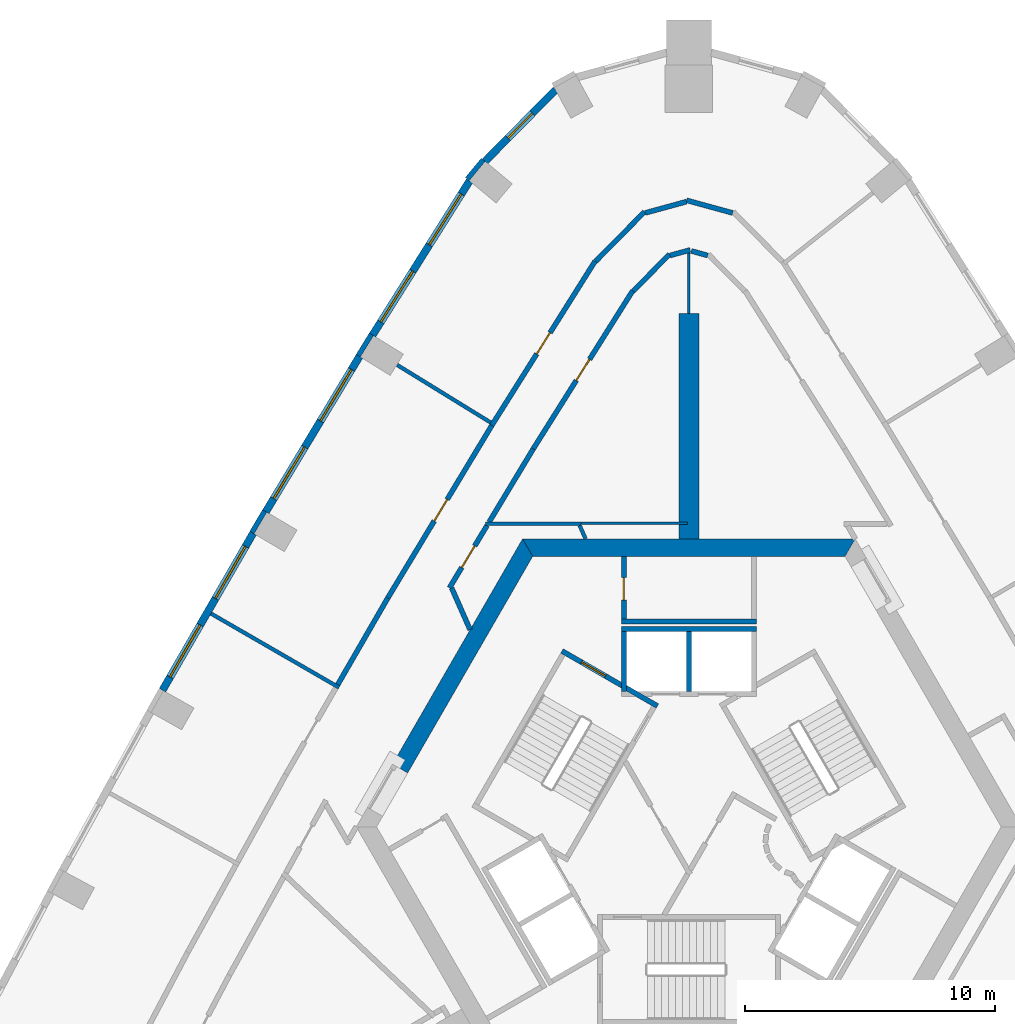
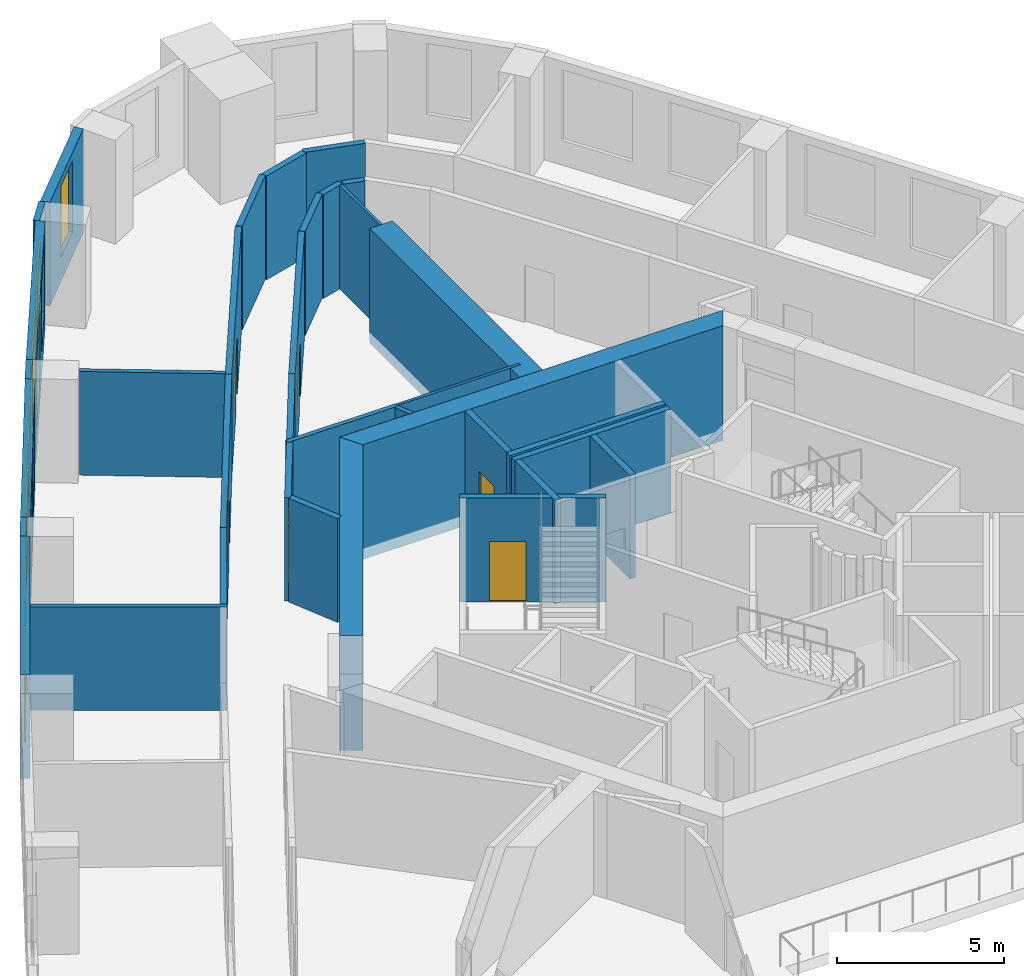
# One storey, part 8 of 11: 35 walls, 7 windows, 6 doors, 13 openings.
"""IFC4 building model written with IfcOpenShell, lengths in metres."""

from ifc_helpers import new_model, si_unit, direction, frame, frame_2d, origin, place, context, subcontext, project, spatial, polyline, rectangle, outline, extrude, material, layer, layer_set, type_object, element, fill, save


model = new_model("IFC4")

# Units and contexts
model_context = context("Model", 3, precision=1e-05, world=origin(), true_north=direction((0.0, 1.0)))
body_context = subcontext(model_context, "Body", "Model", "MODEL_VIEW")
ifc_project = project(units=[si_unit("LENGTHUNIT", "METRE"), si_unit("AREAUNIT", "SQUARE_METRE"), si_unit("VOLUMEUNIT", "CUBIC_METRE"), si_unit("PLANEANGLEUNIT", "RADIAN"), si_unit("MASSUNIT", "GRAM", prefix="KILO")], contexts=[model_context])

# Site, building, storey
site_placement = place(None, origin())
site = spatial("IfcSite", under=ifc_project, at=site_placement, CompositionType="ELEMENT")
building_placement = place(site_placement, origin())
building = spatial("IfcBuilding", under=site, at=building_placement, Name="Entoto Arch Interchange Tower", CompositionType="ELEMENT")
storey_placement = place(building_placement, frame((0.0, 0.0, 206.60009765625)))
storey = spatial("IfcBuildingStorey", under=building, at=storey_placement, Name="L46", CompositionType="ELEMENT", Elevation=206.60009765625)

# Walls
ifc_material_1 = material(Name="Concrete C50/60", Category="concrete")
ifc_layer_1 = layer(ifc_material_1, 0.800048828125)
ifc_layer_set_1 = layer_set([ifc_layer_1], Name="Concrete C50/60")
wall_type_1 = type_object("IfcWallType", Name="Buttress wall 800 C50/60", PredefinedType="SHEAR", material=ifc_layer_set_1)
wall_1_placement = place(storey_placement, frame((0.0, 14.0, -0.400146484375), z_axis=(0.0, 0.0, 1.0), x_axis=(0.0, 1.0, 0.0)))
element("IfcWall", 1, at=wall_1_placement, inside=storey, type_object=wall_type_1, Name="Buttress wall N L46", PredefinedType="SHEAR", context=body_context, shape_type="SweptSolid", body=[
    extrude(rectangle(XDim=9.0, YDim=0.800048828125, at=frame_2d((4.5, 0.0))), origin(), (0.0, 0.0, 1.0), 4.199951171875),
])
ifc_layer_2 = layer(ifc_material_1, 0.699951171875)
ifc_layer_set_2 = layer_set([ifc_layer_2], Name="Concrete C50/60")
wall_type_2 = type_object("IfcWallType", Name="Core wall 700 C50/60", PredefinedType="SHEAR", material=ifc_layer_set_2)
wall_2_placement = place(storey_placement, frame((0.0, 0.0, -0.400146484375)))
element("IfcWall", 2, at=wall_2_placement, inside=storey, type_object=wall_type_2, Name="Core wall N L46", PredefinedType="SHEAR", context=body_context, shape_type="SweptSolid", body=[
    extrude(outline(polyline([(6.639892578125, 14.0), (-6.639892578125, 14.0), (-6.235107421875, 13.300048828125), (6.235107421875, 13.300048828125), (6.639892578125, 14.0)])), origin(), (0.0, 0.0, 1.0), 4.199951171875),
])
wall_3_placement = place(storey_placement, frame((0.0, 0.0, -0.400146484375)))
element("IfcWall", 3, at=wall_3_placement, inside=storey, type_object=wall_type_2, Name="Core wall NW L46", PredefinedType="SHEAR", context=body_context, shape_type="SweptSolid", body=[
    extrude(outline(polyline([(-11.833984375, 5.001953125), (-11.22802734375, 4.652099609375), (-6.235107421875, 13.300048828125), (-6.639892578125, 14.0), (-11.833984375, 5.001953125)])), origin(), (0.0, 0.0, 1.0), 4.199951171875),
])
ifc_material_2 = material(Name="Concrete C40/50", Category="concrete")
ifc_layer_3 = layer(ifc_material_2, 0.199951171875)
ifc_layer_set_3 = layer_set([ifc_layer_3], Name="Concrete C40/50")
wall_type_3 = type_object("IfcWallType", Name="LIFT SHAFT WALL 200", PredefinedType="STANDARD", material=ifc_layer_set_3)
wall_4_placement = place(storey_placement, frame((2.699951171875, 10.39990234375, 0.0), z_axis=(0.0, 0.0, 1.0), x_axis=(-1.0, 0.0, 0.0)))
element("IfcWall", 4, at=wall_4_placement, inside=storey, type_object=wall_type_3, Name="Shaft wall N1 back", PredefinedType="STANDARD", context=body_context, shape_type="SweptSolid", body=[
    extrude(rectangle(XDim=5.39990234375, YDim=0.199951171875, at=frame_2d((2.699951171875, 0.0))), origin(), (0.0, 0.0, 1.0), 3.7998046875),
])
for number, where, z_axis, x_axis, name in (
    (5, (0.0, 7.89990234375, 0.0), (0.0, 0.0, 1.0), (0.0, 1.0, 0.0), "Shaft wall N1 cross 2"),
    (6, (-2.60009765625, 7.89990234375, 0.0), (0.0, 0.0, 1.0), (0.0, 1.0, 0.0), "Shaft wall N1 cross 3"),
):
    element("IfcWall", number, at=place(storey_placement, frame(where, z_axis=z_axis, x_axis=x_axis)), inside=storey, type_object=wall_type_3, Name=name, PredefinedType="STANDARD", context=body_context, shape_type="SweptSolid", body=[
        extrude(rectangle(XDim=2.400146484375, YDim=0.199951171875, at=frame_2d((1.2001953125, 0.0))), origin(), (0.0, 0.0, 1.0), 3.7998046875),
    ])
ifc_material_3 = material(Name="Gypsum board partition on steel studs", Category="steel")
ifc_layer_4 = layer(ifc_material_3, 0.10009765625)
ifc_layer_set_4 = layer_set([ifc_layer_4], Name="Gypsum board partition on steel studs")
wall_type_4 = type_object("IfcWallType", Name="PARTITION 100", PredefinedType="PARTITIONING", material=ifc_layer_set_4)
wall_5_placement = place(storey_placement, frame((-4.31591796875, 14.612060546875, 0.0), z_axis=(0.0, 0.0, 1.0), x_axis=(1.0, 0.0, 0.0)))
element("IfcWall", 7, at=wall_5_placement, inside=storey, type_object=wall_type_4, Name="wall:L46:p097", PredefinedType="PARTITIONING", context=body_context, shape_type="SweptSolid", body=[
    extrude(rectangle(XDim=4.265869140625, YDim=0.10009765625, at=frame_2d((2.1328125, 0.0))), origin(), (0.0, 0.0, 1.0), 3.7998046875),
])
wall_6_placement = place(storey_placement, frame((0.0, 23.0, 0.0), z_axis=(0.0, 0.0, 1.0), x_axis=(0.0, 1.0, 0.0)))
element("IfcWall", 8, at=wall_6_placement, inside=storey, type_object=wall_type_4, Name="wall:L46:p098", PredefinedType="PARTITIONING", context=body_context, shape_type="SweptSolid", body=[
    extrude(rectangle(XDim=2.6201171875, YDim=0.10009765625, at=frame_2d((1.31005859375, 0.0))), origin(), (0.0, 0.0, 1.0), 3.7998046875),
])
ifc_layer_5 = layer(ifc_material_3, 0.14990234375)
ifc_layer_set_5 = layer_set([ifc_layer_5], Name="Gypsum board partition on steel studs")
wall_type_5 = type_object("IfcWallType", Name="PARTITION 150", PredefinedType="PARTITIONING", material=ifc_layer_set_5)
wall_7_placement = place(storey_placement, frame((-4.125, 14.0, 0.0), z_axis=(0.0, 0.0, 1.0), x_axis=(-0.404850841056, 0.914382740703, 0.0)))
element("IfcWall", 9, at=wall_7_placement, inside=storey, type_object=wall_type_5, Name="wall:L46:p075", PredefinedType="PARTITIONING", context=body_context, shape_type="SweptSolid", body=[
    extrude(rectangle(XDim=0.580810546875, YDim=0.14990234375, at=frame_2d((0.29052734375, 0.0))), origin(), (0.0, 0.0, 1.0), 3.7998046875),
])
wall_8_placement = place(storey_placement, frame((-4.31591796875, 14.60009765625, 0.0), z_axis=(0.0, 0.0, 1.0), x_axis=(-1.0, 0.0, 0.0)))
element("IfcWall", 10, at=wall_8_placement, inside=storey, type_object=wall_type_5, Name="wall:L46:p076", PredefinedType="PARTITIONING", context=body_context, shape_type="SweptSolid", body=[
    extrude(rectangle(XDim=3.802001953125, YDim=0.14990234375, at=frame_2d((1.90087890625, 0.0))), origin(), (0.0, 0.0, 1.0), 3.7998046875),
])
wall_9_placement = place(storey_placement, frame((-7.916015625, 18.64404296875, 0.0), z_axis=(0.0, 0.0, 1.0), x_axis=(-0.851543444049, 0.524284047914, 0.0)))
element("IfcWall", 11, at=wall_9_placement, inside=storey, type_object=wall_type_5, Name="wall:L46:p117", PredefinedType="PARTITIONING", context=body_context, shape_type="SweptSolid", body=[
    extrude(rectangle(XDim=4.379150390625, YDim=0.14990234375, at=frame_2d((2.189453125, 0.0))), origin(), (0.0, 0.0, 1.0), 3.7998046875),
])
wall_10_placement = place(storey_placement, frame((-13.969970703125, 8.06494140625, 0.0), z_axis=(0.0, 0.0, 1.0), x_axis=(-0.866011230889, 0.500024547371, 0.0)))
element("IfcWall", 12, at=wall_10_placement, inside=storey, type_object=wall_type_5, Name="wall:L46:p118", PredefinedType="PARTITIONING", context=body_context, shape_type="SweptSolid", body=[
    extrude(rectangle(XDim=5.899658203125, YDim=0.14990234375, at=frame_2d((2.94970703125, 0.0))), origin(), (0.0, 0.0, 1.0), 3.7998046875),
])

# Wall, opening, door
ifc_layer_6 = layer(ifc_material_3, 0.199951171875)
ifc_layer_set_6 = layer_set([ifc_layer_6], Name="Gypsum board partition on steel studs")
wall_type_6 = type_object("IfcWallType", Name="PARTITION 200", PredefinedType="PARTITIONING", material=ifc_layer_set_6)
wall_11_placement = place(storey_placement, frame((-8.056884765625, 14.535888671875, 0.0), z_axis=(0.0, 0.0, 1.0), x_axis=(-0.516268010323, -0.856427078926, 0.0)))
wall_11 = element("IfcWall", 13, at=wall_11_placement, inside=storey, type_object=wall_type_6, Name="wall:L46:p001", PredefinedType="PARTITIONING", context=body_context, shape_type="SweptSolid", body=[
    extrude(rectangle(XDim=2.915283203125, YDim=0.199951171875, at=frame_2d((1.45751953125, 0.0))), origin(), (0.0, 0.0, 1.0), 3.7998046875),
])
opening_1_placement = place(wall_11_placement, frame((0.9580078125, 0.0, 0.0)))
opening_1 = element("IfcOpeningElement", 14, at=opening_1_placement, cuts=wall_11, Name="Opening L46-D25", PredefinedType="OPENING", context=body_context, shape_type="SweptSolid", body=[
    extrude(rectangle(XDim=1.0, YDim=2.10009765625, at=frame_2d((0.5, 1.050048828125))), frame((0.0, 0.10986328125, 0.0), z_axis=(0.0, -1.0, 0.0), x_axis=(1.0, 0.0, 0.0)), (0.0, 0.0, 1.0), 0.219970703125),
])
ifc_material_4 = material(Name="Timber door leaf in Steel S235 frame", Category="steel")
door_type_1 = type_object("IfcDoorType", Name="DOOR DS-10 1000x2100", OperationType="SINGLE_SWING_LEFT", PredefinedType="DOOR", material=ifc_material_4)
door_1_placement = place(opening_1_placement, origin())
door_1 = element("IfcDoor", 15, at=door_1_placement, inside=storey, type_object=door_type_1, Name="door:L46:25", OperationType="SINGLE_SWING_LEFT", OverallHeight=2.10009765625, OverallWidth=1.0, PredefinedType="DOOR", context=body_context, shape_type="SweptSolid", body=[
    extrude(rectangle(XDim=1.0, YDim=2.10009765625, at=frame_2d((0.5, 1.050048828125))), frame((0.0, 0.02490234375, 0.0), z_axis=(0.0, -1.0, 0.0), x_axis=(1.0, 0.0, 0.0)), (0.0, 0.0, 1.0), 0.050048828125),
])
fill(opening_1, door_1)

# Walls
wall_12_placement = place(storey_placement, frame((-9.469970703125, 12.032958984375, 0.0), z_axis=(0.0, 0.0, 1.0), x_axis=(0.40441741061, -0.914574522931, 0.0)))
element("IfcWall", 16, at=wall_12_placement, inside=storey, type_object=wall_type_6, Name="wall:L46:p002", PredefinedType="PARTITIONING", context=body_context, shape_type="SweptSolid", body=[
    extrude(rectangle(XDim=1.817138671875, YDim=0.199951171875, at=frame_2d((0.90869140625, 0.0))), origin(), (0.0, 0.0, 1.0), 3.7998046875),
])
wall_13_placement = place(storey_placement, frame((0.751953125, 25.31298828125, 0.0), z_axis=(0.0, 0.0, 1.0), x_axis=(-0.964381816756, 0.264514104559, 0.0)))
element("IfcWall", 17, at=wall_13_placement, inside=storey, type_object=wall_type_6, Name="wall:L46:p010", PredefinedType="PARTITIONING", context=body_context, shape_type="SweptSolid", body=[
    extrude(rectangle(XDim=0.68017578125, YDim=0.199951171875, at=frame_2d((0.340087890625, 0.0))), origin(), (0.0, 0.0, 1.0), 3.7998046875),
])
wall_14_placement = place(storey_placement, frame((0.048095703125, 25.532958984375, 0.0), z_axis=(0.0, 0.0, 1.0), x_axis=(-0.964218556253, -0.265108611286, 0.0)))
element("IfcWall", 18, at=wall_14_placement, inside=storey, type_object=wall_type_6, Name="wall:L46:p011", PredefinedType="PARTITIONING", context=body_context, shape_type="SweptSolid", body=[
    extrude(rectangle(XDim=0.829833984375, YDim=0.199951171875, at=frame_2d((0.4150390625, 0.0))), origin(), (0.0, 0.0, 1.0), 3.7998046875),
])
wall_15_placement = place(storey_placement, frame((-0.778076171875, 25.35791015625, 0.0), z_axis=(0.0, 0.0, 1.0), x_axis=(-0.702245482258, -0.711934886523, 0.0)))
element("IfcWall", 19, at=wall_15_placement, inside=storey, type_object=wall_type_6, Name="wall:L46:p012", PredefinedType="PARTITIONING", context=body_context, shape_type="SweptSolid", body=[
    extrude(rectangle(XDim=2.066162109375, YDim=0.199951171875, at=frame_2d((1.033203125, 0.0))), origin(), (0.0, 0.0, 1.0), 3.7998046875),
])

# Wall, opening, door
wall_16_placement = place(storey_placement, frame((-2.24609375, 23.89990234375, 0.0), z_axis=(0.0, 0.0, 1.0), x_axis=(-0.532527247309, -0.846412860768, 0.0)))
wall_16 = element("IfcWall", 20, at=wall_16_placement, inside=storey, type_object=wall_type_6, Name="wall:L46:p013", PredefinedType="PARTITIONING", context=body_context, shape_type="SweptSolid", body=[
    extrude(rectangle(XDim=7.448974609375, YDim=0.199951171875, at=frame_2d((3.724609375, 0.0))), origin(), (0.0, 0.0, 1.0), 3.7998046875),
])
opening_2_placement = place(wall_16_placement, frame((3.22509765625, 0.0, 0.0)))
opening_2 = element("IfcOpeningElement", 21, at=opening_2_placement, cuts=wall_16, Name="Opening L46-D18", PredefinedType="OPENING", context=body_context, shape_type="SweptSolid", body=[
    extrude(rectangle(XDim=1.0, YDim=2.10009765625, at=frame_2d((0.5, 1.050048828125))), frame((0.0, 0.10986328125, 0.0), z_axis=(0.0, -1.0, 0.0), x_axis=(1.0, 0.0, 0.0)), (0.0, 0.0, 1.0), 0.219970703125),
])
door_2_placement = place(opening_2_placement, origin())
door_2 = element("IfcDoor", 22, at=door_2_placement, inside=storey, type_object=door_type_1, Name="door:L46:18", OperationType="SINGLE_SWING_LEFT", OverallHeight=2.10009765625, OverallWidth=1.0, PredefinedType="DOOR", context=body_context, shape_type="SweptSolid", body=[
    extrude(rectangle(XDim=1.0, YDim=2.10009765625, at=frame_2d((0.5, 1.050048828125))), frame((0.0, 0.02490234375, 0.0), z_axis=(0.0, -1.0, 0.0), x_axis=(1.0, 0.0, 0.0)), (0.0, 0.0, 1.0), 0.050048828125),
])
fill(opening_2, door_2)

# Wall
wall_17_placement = place(storey_placement, frame((-6.212890625, 17.594970703125, 0.0), z_axis=(0.0, 0.0, 1.0), x_axis=(-0.516121112316, -0.856515614231, 0.0)))
element("IfcWall", 23, at=wall_17_placement, inside=storey, type_object=wall_type_6, Name="wall:L46:p014", PredefinedType="PARTITIONING", context=body_context, shape_type="SweptSolid", body=[
    extrude(rectangle(XDim=3.421875, YDim=0.199951171875, at=frame_2d((1.7109375, 0.0))), origin(), (0.0, 0.0, 1.0), 3.7998046875),
])

# Wall, opening, door
wall_18_placement = place(storey_placement, frame((-7.87109375, 18.528076171875, 0.0), z_axis=(0.0, 0.0, 1.0), x_axis=(0.532587642146, 0.846374859878, 0.0)))
wall_18 = element("IfcWall", 24, at=wall_18_placement, inside=storey, type_object=wall_type_6, Name="wall:L46:p048", PredefinedType="PARTITIONING", context=body_context, shape_type="SweptSolid", body=[
    extrude(rectangle(XDim=7.749267578125, YDim=0.199951171875, at=frame_2d((3.87451171875, 0.0))), origin(), (0.0, 0.0, 1.0), 3.7998046875),
])
opening_3_placement = place(wall_18_placement, frame((3.375, 0.0, 0.0)))
opening_3 = element("IfcOpeningElement", 25, at=opening_3_placement, cuts=wall_18, Name="Opening L46-D09", PredefinedType="OPENING", context=body_context, shape_type="SweptSolid", body=[
    extrude(rectangle(XDim=1.0, YDim=2.10009765625, at=frame_2d((0.5, 1.050048828125))), frame((0.0, 0.10986328125, 0.0), z_axis=(0.0, -1.0, 0.0), x_axis=(1.0, 0.0, 0.0)), (0.0, 0.0, 1.0), 0.219970703125),
])
door_3_placement = place(opening_3_placement, origin())
door_3 = element("IfcDoor", 26, at=door_3_placement, inside=storey, type_object=door_type_1, Name="door:L46:09", OperationType="SINGLE_SWING_LEFT", OverallHeight=2.10009765625, OverallWidth=1.0, PredefinedType="DOOR", context=body_context, shape_type="SweptSolid", body=[
    extrude(rectangle(XDim=1.0, YDim=2.10009765625, at=frame_2d((0.5, 1.050048828125))), frame((0.0, 0.02490234375, 0.0), z_axis=(0.0, -1.0, 0.0), x_axis=(1.0, 0.0, 0.0)), (0.0, 0.0, 1.0), 0.050048828125),
])
fill(opening_3, door_3)

# Walls
wall_19_placement = place(storey_placement, frame((-3.72705078125, 25.073974609375, 0.0), z_axis=(0.0, 0.0, 1.0), x_axis=(0.702089218366, 0.712088989842, 0.0)))
element("IfcWall", 27, at=wall_19_placement, inside=storey, type_object=wall_type_6, Name="wall:L46:p049", PredefinedType="PARTITIONING", context=body_context, shape_type="SweptSolid", body=[
    extrude(rectangle(XDim=2.783203125, YDim=0.199951171875, at=frame_2d((1.3916015625, 0.0))), origin(), (0.0, 0.0, 1.0), 3.7998046875),
])
wall_20_placement = place(storey_placement, frame((-1.7470703125, 27.010986328125, 0.0), z_axis=(0.0, 0.0, 1.0), x_axis=(0.96452646446, 0.263986172662, 0.0)))
element("IfcWall", 28, at=wall_20_placement, inside=storey, type_object=wall_type_6, Name="wall:L46:p050", PredefinedType="PARTITIONING", context=body_context, shape_type="SweptSolid", body=[
    extrude(rectangle(XDim=1.7119140625, YDim=0.199951171875, at=frame_2d((0.85595703125, 0.0))), origin(), (0.0, 0.0, 1.0), 3.7998046875),
])
wall_21_placement = place(storey_placement, frame((-0.095947265625, 27.51611328125, 0.0), z_axis=(0.0, 0.0, 1.0), x_axis=(0.964432860438, -0.264327935918, 0.0)))
element("IfcWall", 29, at=wall_21_placement, inside=storey, type_object=wall_type_6, Name="wall:L46:p051", PredefinedType="PARTITIONING", context=body_context, shape_type="SweptSolid", body=[
    extrude(rectangle(XDim=1.910888671875, YDim=0.199951171875, at=frame_2d((0.95556640625, 0.0))), origin(), (0.0, 0.0, 1.0), 3.7998046875),
])
wall_22_placement = place(storey_placement, frame((-14.01904296875, 8.179931640625, 0.0), z_axis=(0.0, 0.0, 1.0), x_axis=(0.500089897431, 0.865973495257, 0.0)))
element("IfcWall", 30, at=wall_22_placement, inside=storey, type_object=wall_type_6, Name="wall:L46:p053", PredefinedType="PARTITIONING", context=body_context, shape_type="SweptSolid", body=[
    extrude(rectangle(XDim=3.987548828125, YDim=0.199951171875, at=frame_2d((1.99365234375, 0.0))), origin(), (0.0, 0.0, 1.0), 3.7998046875),
])

# Wall, opening, door
wall_23_placement = place(storey_placement, frame((-12.02490234375, 11.633056640625, 0.0), z_axis=(0.0, 0.0, 1.0), x_axis=(0.516283129542, 0.856417964636, 0.0)))
wall_23 = element("IfcWall", 31, at=wall_23_placement, inside=storey, type_object=wall_type_6, Name="wall:L46:p054", PredefinedType="PARTITIONING", context=body_context, shape_type="SweptSolid", body=[
    extrude(rectangle(XDim=8.0498046875, YDim=0.199951171875, at=frame_2d((4.02490234375, 0.0))), origin(), (0.0, 0.0, 1.0), 3.7998046875),
])
opening_4_placement = place(wall_23_placement, frame((3.60009765625, 0.0, 0.0)))
opening_4 = element("IfcOpeningElement", 32, at=opening_4_placement, cuts=wall_23, Name="Opening L46-D10", PredefinedType="OPENING", context=body_context, shape_type="SweptSolid", body=[
    extrude(rectangle(XDim=1.0, YDim=2.10009765625, at=frame_2d((0.5, 1.050048828125))), frame((0.0, 0.10986328125, 0.0), z_axis=(0.0, -1.0, 0.0), x_axis=(1.0, 0.0, 0.0)), (0.0, 0.0, 1.0), 0.219970703125),
])
door_4_placement = place(opening_4_placement, origin())
door_4 = element("IfcDoor", 33, at=door_4_placement, inside=storey, type_object=door_type_1, Name="door:L46:10", OperationType="SINGLE_SWING_LEFT", OverallHeight=2.10009765625, OverallWidth=1.0, PredefinedType="DOOR", context=body_context, shape_type="SweptSolid", body=[
    extrude(rectangle(XDim=1.0, YDim=2.10009765625, at=frame_2d((0.5, 1.050048828125))), frame((0.0, 0.02490234375, 0.0), z_axis=(0.0, -1.0, 0.0), x_axis=(1.0, 0.0, 0.0)), (0.0, 0.0, 1.0), 0.050048828125),
])
fill(opening_4, door_4)

wall_24_placement = place(storey_placement, frame((-2.60009765625, 10.800048828125, 0.0), z_axis=(0.0, 0.0, 1.0), x_axis=(0.0, 1.0, 0.0)))
wall_24 = element("IfcWall", 34, at=wall_24_placement, inside=storey, type_object=wall_type_6, Name="wall:L46:p066", PredefinedType="PARTITIONING", context=body_context, shape_type="SweptSolid", body=[
    extrude(rectangle(XDim=2.5, YDim=0.199951171875, at=frame_2d((1.25, 0.0))), origin(), (0.0, 0.0, 1.0), 3.7998046875),
])
opening_5_placement = place(wall_24_placement, frame((0.75, 0.0, 0.0)))
opening_5 = element("IfcOpeningElement", 35, at=opening_5_placement, cuts=wall_24, Name="Opening L46-D29", PredefinedType="OPENING", context=body_context, shape_type="SweptSolid", body=[
    extrude(rectangle(XDim=0.89990234375, YDim=2.10009765625, at=frame_2d((0.449951171875, 1.050048828125))), frame((0.0, 0.10986328125, 0.0), z_axis=(0.0, -1.0, 0.0), x_axis=(1.0, 0.0, 0.0)), (0.0, 0.0, 1.0), 0.219970703125),
])
door_type_2 = type_object("IfcDoorType", Name="DOOR DS-09 900x2100", OperationType="SINGLE_SWING_LEFT", PredefinedType="DOOR", material=ifc_material_4)
door_5_placement = place(opening_5_placement, origin())
door_5 = element("IfcDoor", 36, at=door_5_placement, inside=storey, type_object=door_type_2, Name="door:L46:29", OperationType="SINGLE_SWING_RIGHT", OverallHeight=2.10009765625, OverallWidth=0.89990234375, PredefinedType="DOOR", context=body_context, shape_type="SweptSolid", body=[
    extrude(rectangle(XDim=0.89990234375, YDim=2.10009765625, at=frame_2d((0.449951171875, 1.050048828125))), frame((0.0, 0.02490234375, 0.0), z_axis=(0.0, -1.0, 0.0), x_axis=(1.0, 0.0, 0.0)), (0.0, 0.0, 1.0), 0.050048828125),
])
fill(opening_5, door_5)

# Wall
wall_25_placement = place(storey_placement, frame((2.699951171875, 10.699951171875, 0.0), z_axis=(0.0, 0.0, 1.0), x_axis=(-1.0, 0.0, 0.0)))
element("IfcWall", 37, at=wall_25_placement, inside=storey, type_object=wall_type_6, Name="wall:L46:p068", PredefinedType="PARTITIONING", context=body_context, shape_type="SweptSolid", body=[
    extrude(rectangle(XDim=5.39990234375, YDim=0.199951171875, at=frame_2d((2.699951171875, 0.0))), origin(), (0.0, 0.0, 1.0), 3.7998046875),
])

# Wall, opening, door
ifc_layer_7 = layer(ifc_material_2, 0.199951171875)
ifc_layer_set_7 = layer_set([ifc_layer_7], Name="Concrete C40/50")
wall_type_7 = type_object("IfcWallType", Name="STAIR ENCLOSURE WALL 200", PredefinedType="STANDARD", material=ifc_layer_set_7)
wall_26_placement = place(storey_placement, frame((-1.256103515625, 7.323974609375, 0.0), z_axis=(0.0, 0.0, 1.0), x_axis=(-0.866046073146, 0.499964197906, 0.0)))
wall_26 = element("IfcWall", 38, at=wall_26_placement, inside=storey, type_object=wall_type_7, Name="Stair wall ST-NW near", PredefinedType="STANDARD", context=body_context, shape_type="SweptSolid", body=[
    extrude(rectangle(XDim=4.400146484375, YDim=0.199951171875, at=frame_2d((2.2001953125, 0.0))), origin(), (0.0, 0.0, 1.0), 3.7998046875),
])
opening_6_placement = place(wall_26_placement, frame((2.39990234375, 0.0, 0.0)))
opening_6 = element("IfcOpeningElement", 39, at=opening_6_placement, cuts=wall_26, Name="Opening SD-ST-NW-L46-E", PredefinedType="OPENING", context=body_context, shape_type="SweptSolid", body=[
    extrude(rectangle(XDim=1.10009765625, YDim=2.199951171875, at=frame_2d((0.550048828125, 1.10009765625))), frame((0.0, 0.10986328125, 0.0), z_axis=(0.0, -1.0, 0.0), x_axis=(1.0, 0.0, 0.0)), (0.0, 0.0, 1.0), 0.219970703125),
])
ifc_material_5 = material(Name="Steel S235", Category="steel")
door_type_3 = type_object("IfcDoorType", Name="STAIR DOOR SD1 1100x2200", OperationType="SINGLE_SWING_LEFT", PredefinedType="DOOR", material=ifc_material_5)
door_6_placement = place(opening_6_placement, origin())
door_6 = element("IfcDoor", 40, at=door_6_placement, inside=storey, type_object=door_type_3, Name="Stair door ST-NW L46 end", OperationType="SINGLE_SWING_LEFT", OverallHeight=2.199951171875, OverallWidth=1.10009765625, PredefinedType="DOOR", context=body_context, shape_type="SweptSolid", body=[
    extrude(rectangle(XDim=1.10009765625, YDim=2.199951171875, at=frame_2d((0.550048828125, 1.10009765625))), frame((0.0, 0.02490234375, 0.0), z_axis=(0.0, -1.0, 0.0), x_axis=(1.0, 0.0, 0.0)), (0.0, 0.0, 1.0), 0.050048828125),
])
fill(opening_6, door_6)

# Wall, opening, window
ifc_material_6 = material(Name="Welded tuff (ignimbrite) cladding, warm buff", Category="masonry")
ifc_layer_8 = layer(ifc_material_6, 0.300048828125)
ifc_layer_set_8 = layer_set([ifc_layer_8], Name="Welded tuff (ignimbrite) cladding, warm buff")
wall_type_8 = type_object("IfcWallType", Name="STONE INFILL WALL 300", PredefinedType="STANDARD", material=ifc_layer_set_8)
wall_27_placement = place(storey_placement, frame((-5.326904296875, 31.925048828125, 0.0), z_axis=(0.0, 0.0, 1.0), x_axis=(-0.70209072612, -0.712087503258, 0.0)))
wall_27 = element("IfcWall", 41, at=wall_27_placement, inside=storey, type_object=wall_type_8, Name="Facade wall N-04 L46", PredefinedType="STANDARD", context=body_context, shape_type="SweptSolid", body=[
    extrude(rectangle(XDim=4.005126953125, YDim=0.300048828125, at=frame_2d((2.00244140625, 0.0))), origin(), (0.0, 0.0, 1.0), 3.7998046875),
])
opening_7_placement = place(wall_27_placement, frame((1.302978515625, 0.0, 0.89990234375)))
opening_7 = element("IfcOpeningElement", 42, at=opening_7_placement, cuts=wall_27, Name="Opening WO-B", PredefinedType="OPENING", context=body_context, shape_type="SweptSolid", body=[
    extrude(rectangle(XDim=1.39990234375, YDim=2.60009765625, at=frame_2d((0.699951171875, 1.300048828125))), frame((0.0, 0.16015625, 0.0), z_axis=(0.0, -1.0, 0.0), x_axis=(1.0, 0.0, 0.0)), (0.0, 0.0, 1.0), 0.320068359375),
])
ifc_material_7 = material(Name="Clear glass, low-e double glazed", Category="glass")
window_type_1 = type_object("IfcWindowType", Name="WINDOW WO-B 1400x2600", PartitioningType="DOUBLE_PANEL_VERTICAL", PredefinedType="WINDOW", material=ifc_material_7)
window_1_placement = place(opening_7_placement, origin())
window_1 = element("IfcWindow", 43, at=window_1_placement, inside=storey, type_object=window_type_1, Name="Window WO-B N-04 L46", OverallHeight=2.60009765625, OverallWidth=1.39990234375, PartitioningType="SINGLE_PANEL", PredefinedType="WINDOW", context=body_context, shape_type="SweptSolid", body=[
    extrude(rectangle(XDim=1.39990234375, YDim=2.60009765625, at=frame_2d((0.699951171875, 1.300048828125))), frame((0.0, 0.030029296875, 0.0), z_axis=(0.0, -1.0, 0.0), x_axis=(1.0, 0.0, 0.0)), (0.0, 0.0, 1.0), 0.06005859375),
])
fill(opening_7, window_1)

# Wall, openings, windows
wall_28_placement = place(storey_placement, frame((-8.759033203125, 28.2900390625, 0.0), z_axis=(0.0, 0.0, 1.0), x_axis=(-0.532522107002, -0.84641609481, 0.0)))
wall_28 = element("IfcWall", 44, at=wall_28_placement, inside=storey, type_object=wall_type_8, Name="Facade wall NW-01 L46", PredefinedType="STANDARD", context=body_context, shape_type="SweptSolid", body=[
    extrude(rectangle(XDim=7.27294921875, YDim=0.300048828125, at=frame_2d((3.636474609375, 0.0))), origin(), (0.0, 0.0, 1.0), 3.7998046875),
])
opening_8_placement = place(wall_28_placement, frame((0.617919921875, 0.0, 0.89990234375)))
opening_8 = element("IfcOpeningElement", 45, at=opening_8_placement, cuts=wall_28, Name="Opening WO-A", PredefinedType="OPENING", context=body_context, shape_type="SweptSolid", body=[
    extrude(rectangle(XDim=2.39990234375, YDim=2.60009765625, at=frame_2d((1.199951171875, 1.300048828125))), frame((0.0, 0.16015625, 0.0), z_axis=(0.0, -1.0, 0.0), x_axis=(1.0, 0.0, 0.0)), (0.0, 0.0, 1.0), 0.320068359375),
])
opening_9_placement = place(wall_28_placement, frame((4.2548828125, 0.0, 0.89990234375)))
opening_9 = element("IfcOpeningElement", 46, at=opening_9_placement, cuts=wall_28, Name="Opening WO-A", PredefinedType="OPENING", context=body_context, shape_type="SweptSolid", body=[
    extrude(rectangle(XDim=2.39990234375, YDim=2.60009765625, at=frame_2d((1.199951171875, 1.300048828125))), frame((0.0, 0.16015625, 0.0), z_axis=(0.0, -1.0, 0.0), x_axis=(1.0, 0.0, 0.0)), (0.0, 0.0, 1.0), 0.320068359375),
])
window_type_2 = type_object("IfcWindowType", Name="WINDOW WO-A 2400x2600", PartitioningType="DOUBLE_PANEL_VERTICAL", PredefinedType="WINDOW", material=ifc_material_7)
window_2_placement = place(opening_8_placement, origin())
window_2 = element("IfcWindow", 47, at=window_2_placement, inside=storey, type_object=window_type_2, Name="Window WO-A NW-01 L46", OverallHeight=2.60009765625, OverallWidth=2.39990234375, PartitioningType="SINGLE_PANEL", PredefinedType="WINDOW", context=body_context, shape_type="SweptSolid", body=[
    extrude(rectangle(XDim=2.39990234375, YDim=2.60009765625, at=frame_2d((1.199951171875, 1.300048828125))), frame((0.0, 0.030029296875, 0.0), z_axis=(0.0, -1.0, 0.0), x_axis=(1.0, 0.0, 0.0)), (0.0, 0.0, 1.0), 0.06005859375),
])
fill(opening_8, window_2)
window_3_placement = place(opening_9_placement, origin())
window_3 = element("IfcWindow", 48, at=window_3_placement, inside=storey, type_object=window_type_2, Name="Window WO-A NW-01 L46", OverallHeight=2.60009765625, OverallWidth=2.39990234375, PartitioningType="SINGLE_PANEL", PredefinedType="WINDOW", context=body_context, shape_type="SweptSolid", body=[
    extrude(rectangle(XDim=2.39990234375, YDim=2.60009765625, at=frame_2d((1.199951171875, 1.300048828125))), frame((0.0, 0.030029296875, 0.0), z_axis=(0.0, -1.0, 0.0), x_axis=(1.0, 0.0, 0.0)), (0.0, 0.0, 1.0), 0.06005859375),
])
fill(opening_9, window_3)

wall_29_placement = place(storey_placement, frame((-13.155029296875, 21.283935546875, 0.0), z_axis=(0.0, 0.0, 1.0), x_axis=(-0.516230553484, -0.856449657394, 0.0)))
wall_29 = element("IfcWall", 49, at=wall_29_placement, inside=storey, type_object=wall_type_8, Name="Facade wall NW-02 L46", PredefinedType="STANDARD", context=body_context, shape_type="SweptSolid", body=[
    extrude(rectangle(XDim=7.239013671875, YDim=0.300048828125, at=frame_2d((3.61962890625, 0.0))), origin(), (0.0, 0.0, 1.0), 3.7998046875),
])
opening_10_placement = place(wall_29_placement, frame((0.610107421875, 0.0, 0.89990234375)))
opening_10 = element("IfcOpeningElement", 50, at=opening_10_placement, cuts=wall_29, Name="Opening WO-A", PredefinedType="OPENING", context=body_context, shape_type="SweptSolid", body=[
    extrude(rectangle(XDim=2.39990234375, YDim=2.60009765625, at=frame_2d((1.199951171875, 1.300048828125))), frame((0.0, 0.16015625, 0.0), z_axis=(0.0, -1.0, 0.0), x_axis=(1.0, 0.0, 0.0)), (0.0, 0.0, 1.0), 0.320068359375),
])
opening_11_placement = place(wall_29_placement, frame((4.22900390625, 0.0, 0.89990234375)))
opening_11 = element("IfcOpeningElement", 51, at=opening_11_placement, cuts=wall_29, Name="Opening WO-A", PredefinedType="OPENING", context=body_context, shape_type="SweptSolid", body=[
    extrude(rectangle(XDim=2.39990234375, YDim=2.60009765625, at=frame_2d((1.199951171875, 1.300048828125))), frame((0.0, 0.16015625, 0.0), z_axis=(0.0, -1.0, 0.0), x_axis=(1.0, 0.0, 0.0)), (0.0, 0.0, 1.0), 0.320068359375),
])
window_4_placement = place(opening_10_placement, origin())
window_4 = element("IfcWindow", 52, at=window_4_placement, inside=storey, type_object=window_type_2, Name="Window WO-A NW-02 L46", OverallHeight=2.60009765625, OverallWidth=2.39990234375, PartitioningType="SINGLE_PANEL", PredefinedType="WINDOW", context=body_context, shape_type="SweptSolid", body=[
    extrude(rectangle(XDim=2.39990234375, YDim=2.60009765625, at=frame_2d((1.199951171875, 1.300048828125))), frame((0.0, 0.030029296875, 0.0), z_axis=(0.0, -1.0, 0.0), x_axis=(1.0, 0.0, 0.0)), (0.0, 0.0, 1.0), 0.06005859375),
])
fill(opening_10, window_4)
window_5_placement = place(opening_11_placement, origin())
window_5 = element("IfcWindow", 53, at=window_5_placement, inside=storey, type_object=window_type_2, Name="Window WO-A NW-02 L46", OverallHeight=2.60009765625, OverallWidth=2.39990234375, PartitioningType="SINGLE_PANEL", PredefinedType="WINDOW", context=body_context, shape_type="SweptSolid", body=[
    extrude(rectangle(XDim=2.39990234375, YDim=2.60009765625, at=frame_2d((1.199951171875, 1.300048828125))), frame((0.0, 0.030029296875, 0.0), z_axis=(0.0, -1.0, 0.0), x_axis=(1.0, 0.0, 0.0)), (0.0, 0.0, 1.0), 0.06005859375),
])
fill(opening_11, window_5)

wall_30_placement = place(storey_placement, frame((-17.39892578125, 14.22509765625, 0.0), z_axis=(0.0, 0.0, 1.0), x_axis=(-0.500012402131, -0.866018243292, 0.0)))
wall_30 = element("IfcWall", 54, at=wall_30_placement, inside=storey, type_object=wall_type_8, Name="Facade wall NW-03 L46", PredefinedType="STANDARD", context=body_context, shape_type="SweptSolid", body=[
    extrude(rectangle(XDim=7.239990234375, YDim=0.300048828125, at=frame_2d((3.6201171875, 0.0))), origin(), (0.0, 0.0, 1.0), 3.7998046875),
])
opening_12_placement = place(wall_30_placement, frame((0.610107421875, 0.0, 0.89990234375)))
opening_12 = element("IfcOpeningElement", 55, at=opening_12_placement, cuts=wall_30, Name="Opening WO-A", PredefinedType="OPENING", context=body_context, shape_type="SweptSolid", body=[
    extrude(rectangle(XDim=2.39990234375, YDim=2.60009765625, at=frame_2d((1.199951171875, 1.300048828125))), frame((0.0, 0.16015625, 0.0), z_axis=(0.0, -1.0, 0.0), x_axis=(1.0, 0.0, 0.0)), (0.0, 0.0, 1.0), 0.320068359375),
])
opening_13_placement = place(wall_30_placement, frame((4.22998046875, 0.0, 0.89990234375)))
opening_13 = element("IfcOpeningElement", 56, at=opening_13_placement, cuts=wall_30, Name="Opening WO-A", PredefinedType="OPENING", context=body_context, shape_type="SweptSolid", body=[
    extrude(rectangle(XDim=2.39990234375, YDim=2.60009765625, at=frame_2d((1.199951171875, 1.300048828125))), frame((0.0, 0.16015625, 0.0), z_axis=(0.0, -1.0, 0.0), x_axis=(1.0, 0.0, 0.0)), (0.0, 0.0, 1.0), 0.320068359375),
])
window_6_placement = place(opening_12_placement, origin())
window_6 = element("IfcWindow", 57, at=window_6_placement, inside=storey, type_object=window_type_2, Name="Window WO-A NW-03 L46", OverallHeight=2.60009765625, OverallWidth=2.39990234375, PartitioningType="SINGLE_PANEL", PredefinedType="WINDOW", context=body_context, shape_type="SweptSolid", body=[
    extrude(rectangle(XDim=2.39990234375, YDim=2.60009765625, at=frame_2d((1.199951171875, 1.300048828125))), frame((0.0, 0.030029296875, 0.0), z_axis=(0.0, -1.0, 0.0), x_axis=(1.0, 0.0, 0.0)), (0.0, 0.0, 1.0), 0.06005859375),
])
fill(opening_12, window_6)
window_7_placement = place(opening_13_placement, origin())
window_7 = element("IfcWindow", 58, at=window_7_placement, inside=storey, type_object=window_type_2, Name="Window WO-A NW-03 L46", OverallHeight=2.60009765625, OverallWidth=2.39990234375, PartitioningType="SINGLE_PANEL", PredefinedType="WINDOW", context=body_context, shape_type="SweptSolid", body=[
    extrude(rectangle(XDim=2.39990234375, YDim=2.60009765625, at=frame_2d((1.199951171875, 1.300048828125))), frame((0.0, 0.030029296875, 0.0), z_axis=(0.0, -1.0, 0.0), x_axis=(1.0, 0.0, 0.0)), (0.0, 0.0, 1.0), 0.06005859375),
])
fill(opening_13, window_7)

# Walls
ifc_layer_9 = layer(ifc_material_6, 0.199951171875)
ifc_layer_set_9 = layer_set([ifc_layer_9], Name="Welded tuff (ignimbrite) cladding, warm buff")
wall_type_9 = type_object("IfcWallType", Name="STONE PIER CLADDING 200", PredefinedType="STANDARD", material=ifc_layer_set_9)
wall_31_placement = place(storey_placement, frame((-8.2109375, 29.134033203125, 0.0), z_axis=(0.0, 0.0, 1.0), x_axis=(-0.638117112481, -0.769939316283, 0.0)))
element("IfcWall", 59, at=wall_31_placement, inside=storey, type_object=wall_type_9, Name="Stone pier NW01 L46", PredefinedType="STANDARD", context=body_context, shape_type="SweptSolid", body=[
    extrude(rectangle(XDim=1.0, YDim=0.199951171875, at=frame_2d((0.5, 0.0))), origin(), (0.0, 0.0, 1.0), 3.7998046875),
])
wall_32_placement = place(storey_placement, frame((-12.677001953125, 22.1630859375, 0.0), z_axis=(0.0, 0.0, 1.0), x_axis=(-0.525648735675, -0.850701714282, 0.0)))
element("IfcWall", 60, at=wall_32_placement, inside=storey, type_object=wall_type_9, Name="Stone pier NW02 L46", PredefinedType="STANDARD", context=body_context, shape_type="SweptSolid", body=[
    extrude(rectangle(XDim=1.00048828125, YDim=0.199951171875, at=frame_2d((0.500244140625, 0.0))), origin(), (0.0, 0.0, 1.0), 3.7998046875),
])
wall_33_placement = place(storey_placement, frame((-16.93896484375, 15.113037109375, 0.0), z_axis=(0.0, 0.0, 1.0), x_axis=(-0.508161541526, -0.861261776531, 0.0)))
element("IfcWall", 61, at=wall_33_placement, inside=storey, type_object=wall_type_9, Name="Stone pier NW03 L46", PredefinedType="STANDARD", context=body_context, shape_type="SweptSolid", body=[
    extrude(rectangle(XDim=0.999755859375, YDim=0.199951171875, at=frame_2d((0.5, 0.0))), origin(), (0.0, 0.0, 1.0), 3.7998046875),
])

save(model, "model.ifc")
